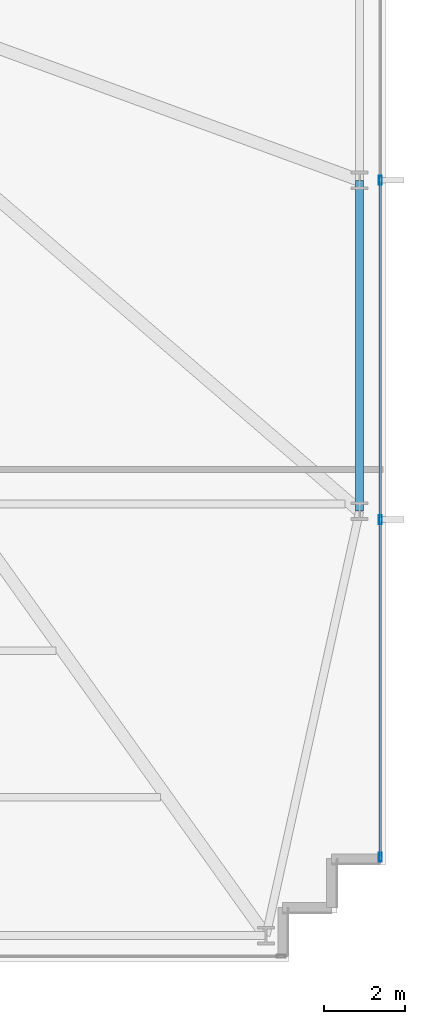
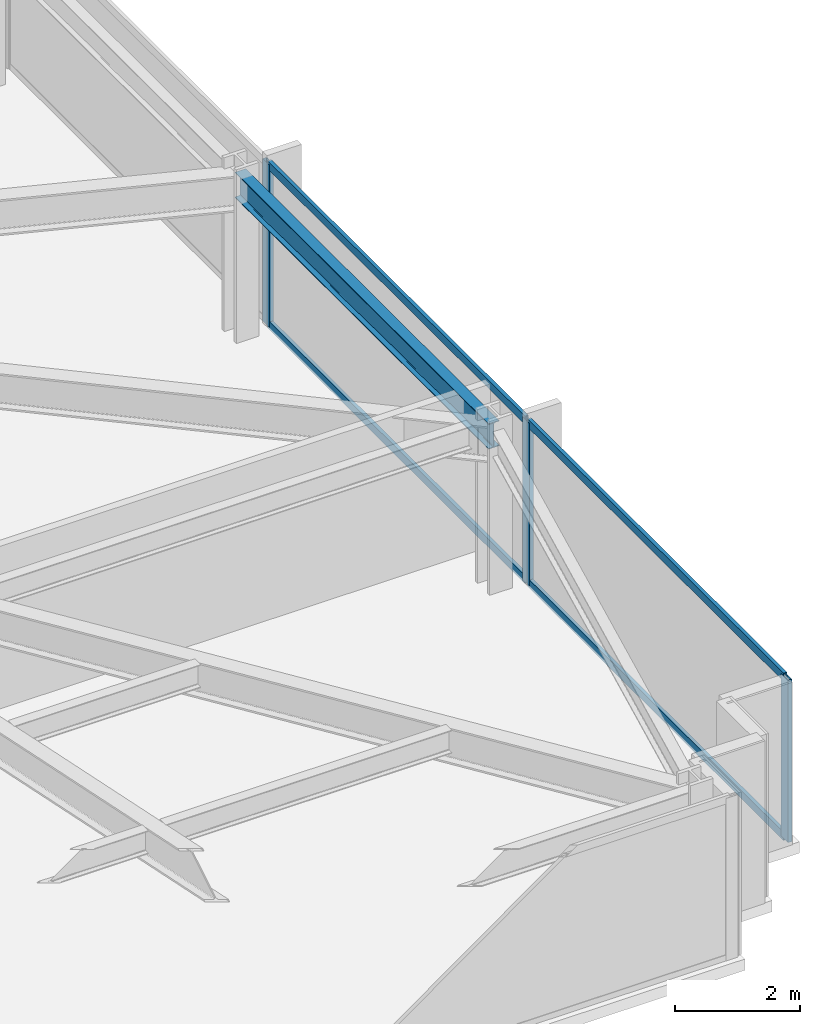
# One storey, part 22 of 32: 7 members, 1 beam, 1 element without a shape of its own.
"""IFC4 building model written with IfcOpenShell, lengths in metres."""

from ifc_helpers import new_model, si_unit, direction, frame, origin, origin_2d, place, context, subcontext, project, spatial, hollow_rectangle, i_section, extrude, material, material_profile, profile_set, type_object, element, aggregate, save


model = new_model("IFC4")

# Units and contexts
model_context = context("Model", 3, precision=1e-05, world=origin(), true_north=direction((0.0, 1.0)))
body_context = subcontext(model_context, "Body", "Model", "MODEL_VIEW")
ifc_project = project(units=[si_unit("LENGTHUNIT", "METRE"), si_unit("AREAUNIT", "SQUARE_METRE"), si_unit("VOLUMEUNIT", "CUBIC_METRE"), si_unit("PLANEANGLEUNIT", "RADIAN"), si_unit("MASSUNIT", "GRAM", prefix="KILO")], contexts=[model_context])

# Site, building, storey
site_placement = place(None, origin())
site = spatial("IfcSite", under=ifc_project, at=site_placement, CompositionType="ELEMENT")
building_placement = place(site_placement, origin())
building = spatial("IfcBuilding", under=site, at=building_placement, Name="Yelkora Congress Tower", CompositionType="ELEMENT")
storey_placement = place(building_placement, frame((0.0, 0.0, 50.800048828125)))
storey = spatial("IfcBuildingStorey", under=building, at=storey_placement, Name="L12", CompositionType="ELEMENT", Elevation=50.800048828125)

# Beam
ifc_material_1 = material(Name="Steel S355J2", Category="steel")
ifc_material_profile_1 = material_profile(ifc_material_1, i_section(OverallWidth=0.199951171875, OverallDepth=0.5, WebThickness=0.01025390625, FlangeThickness=0.01611328125, FilletRadius=0.02099609375, at=origin_2d()), Name="IPE 500")
ifc_profile_set_1 = profile_set([ifc_material_profile_1], Name="Steel S355J2")
beam_type = type_object("IfcBeamType", Name="BM-SPAN-IPE500", PredefinedType="SPANDREL", material=ifc_profile_set_1)
beam_placement = place(storey_placement, frame((70.14990234375, 21.27490234375, 2.929931640625), z_axis=(0.0, 1.0, 0.0), x_axis=(-1.0, 0.0, 0.0)))
element("IfcBeam", 1, at=beam_placement, inside=storey, type_object=beam_type, Name="L12 Perimeter Beam 11", PredefinedType="SPANDREL", context=body_context, shape_type="SweptSolid", body=[
    extrude(i_section(OverallWidth=0.199951171875, OverallDepth=0.5, WebThickness=0.01025390625, FlangeThickness=0.01611328125, FilletRadius=0.02099609375, at=origin_2d()), origin(), (0.0, 0.0, 1.0), 8.125),
])

# Curtain wall, members
ifc_material_2 = material(Name="Anodised aluminium and insulated glass", Category="aluminium")
curtain_wall_type = type_object("IfcCurtainWallType", Name="CW-SYS-B1", PredefinedType="NOTDEFINED", material=ifc_material_2)
curtain_wall_placement = place(storey_placement, origin())
curtain_wall = element("IfcCurtainWall", 2, at=curtain_wall_placement, inside=storey, type_object=curtain_wall_type, Name="L12 Unitised Curtain Wall 15", PredefinedType="NOTDEFINED")
ifc_material_3 = material(Name="Anodised aluminium 6063-T6", Category="aluminium")
ifc_material_profile_2 = material_profile(ifc_material_3, hollow_rectangle(XDim=0.074951171875, YDim=0.219970703125, WallThickness=0.0048828125, at=origin_2d()), Name="ALU 75x220x5")
ifc_profile_set_2 = profile_set([ifc_material_profile_2], Name="Anodised aluminium 6063-T6")
member_type_1 = type_object("IfcMemberType", Name="MEM-ML-B1", PredefinedType="MULLION", material=ifc_profile_set_2)
member_1_placement = place(storey_placement, frame((70.659912109375, 29.39990234375, 0.0), z_axis=(0.0, 0.0, 1.0), x_axis=(1.0, 0.0, 0.0)))
member_1 = element("IfcMember", 3, at=member_1_placement, type_object=member_type_1, Name="CW-B1 mullion 3", PredefinedType="MULLION", context=body_context, shape_type="SweptSolid", body=[
    extrude(hollow_rectangle(XDim=0.074951171875, YDim=0.219970703125, WallThickness=0.0048828125, at=origin_2d()), origin(), (0.0, 0.0, 1.0), 3.179931640625),
])
member_2_placement = place(storey_placement, frame((70.659912109375, 21.070068359375, 0.0), z_axis=(0.0, 0.0, 1.0), x_axis=(1.0, 0.0, 0.0)))
member_2 = element("IfcMember", 4, at=member_2_placement, type_object=member_type_1, Name="CW-B1 mullion 4", PredefinedType="MULLION", context=body_context, shape_type="SweptSolid", body=[
    extrude(hollow_rectangle(XDim=0.074951171875, YDim=0.219970703125, WallThickness=0.0048828125, at=origin_2d()), origin(), (0.0, 0.0, 1.0), 3.179931640625),
])
member_3_placement = place(storey_placement, frame((70.659912109375, 12.777587890625, 0.0), z_axis=(0.0, 0.0, 1.0), x_axis=(1.0, 0.0, 0.0)))
member_3 = element("IfcMember", 5, at=member_3_placement, type_object=member_type_1, Name="CW-B1 mullion 5", PredefinedType="MULLION", context=body_context, shape_type="SweptSolid", body=[
    extrude(hollow_rectangle(XDim=0.074951171875, YDim=0.219970703125, WallThickness=0.0048828125, at=origin_2d()), origin(), (0.0, 0.0, 1.0), 3.179931640625),
])
ifc_material_profile_3 = material_profile(ifc_material_3, hollow_rectangle(XDim=0.06494140625, YDim=0.159912109375, WallThickness=0.00390625, at=origin_2d()), Name="ALU 65x160x4")
ifc_profile_set_3 = profile_set([ifc_material_profile_3], Name="Anodised aluminium 6063-T6")
member_type_2 = type_object("IfcMemberType", Name="MEM-TR-B1", PredefinedType="USERDEFINED", material=ifc_profile_set_3)
member_4_placement = place(storey_placement, frame((70.659912109375, 29.362548828125, 0.032470703125), z_axis=(0.0, -1.0, 0.0), x_axis=(1.0, 0.0, 0.0)))
member_4 = element("IfcMember", 6, at=member_4_placement, type_object=member_type_2, Name="CW-B1 transom 3.1", ObjectType="TRANSOM", PredefinedType="USERDEFINED", context=body_context, shape_type="SweptSolid", body=[
    extrude(hollow_rectangle(XDim=0.06494140625, YDim=0.159912109375, WallThickness=0.00390625, at=origin_2d()), origin(), (0.0, 0.0, 1.0), 8.255126953125),
])
member_5_placement = place(storey_placement, frame((70.659912109375, 29.362548828125, 3.1474609375), z_axis=(0.0, -1.0, 0.0), x_axis=(1.0, 0.0, 0.0)))
member_5 = element("IfcMember", 7, at=member_5_placement, type_object=member_type_2, Name="CW-B1 transom 3.2", ObjectType="TRANSOM", PredefinedType="USERDEFINED", context=body_context, shape_type="SweptSolid", body=[
    extrude(hollow_rectangle(XDim=0.06494140625, YDim=0.159912109375, WallThickness=0.00390625, at=origin_2d()), origin(), (0.0, 0.0, 1.0), 8.255126953125),
])
member_6_placement = place(storey_placement, frame((70.659912109375, 21.032470703125, 0.032470703125), z_axis=(0.0, -1.0, 0.0), x_axis=(1.0, 0.0, 0.0)))
member_6 = element("IfcMember", 8, at=member_6_placement, type_object=member_type_2, Name="CW-B1 transom 4.1", ObjectType="TRANSOM", PredefinedType="USERDEFINED", context=body_context, shape_type="SweptSolid", body=[
    extrude(hollow_rectangle(XDim=0.06494140625, YDim=0.159912109375, WallThickness=0.00390625, at=origin_2d()), origin(), (0.0, 0.0, 1.0), 8.217529296875),
])
member_7_placement = place(storey_placement, frame((70.659912109375, 21.032470703125, 3.1474609375), z_axis=(0.0, -1.0, 0.0), x_axis=(1.0, 0.0, 0.0)))
member_7 = element("IfcMember", 9, at=member_7_placement, type_object=member_type_2, Name="CW-B1 transom 4.2", ObjectType="TRANSOM", PredefinedType="USERDEFINED", context=body_context, shape_type="SweptSolid", body=[
    extrude(hollow_rectangle(XDim=0.06494140625, YDim=0.159912109375, WallThickness=0.00390625, at=origin_2d()), origin(), (0.0, 0.0, 1.0), 8.217529296875),
])
aggregate(curtain_wall, [member_1, member_2, member_3, member_4, member_5, member_6, member_7])

save(model, "model.ifc")
